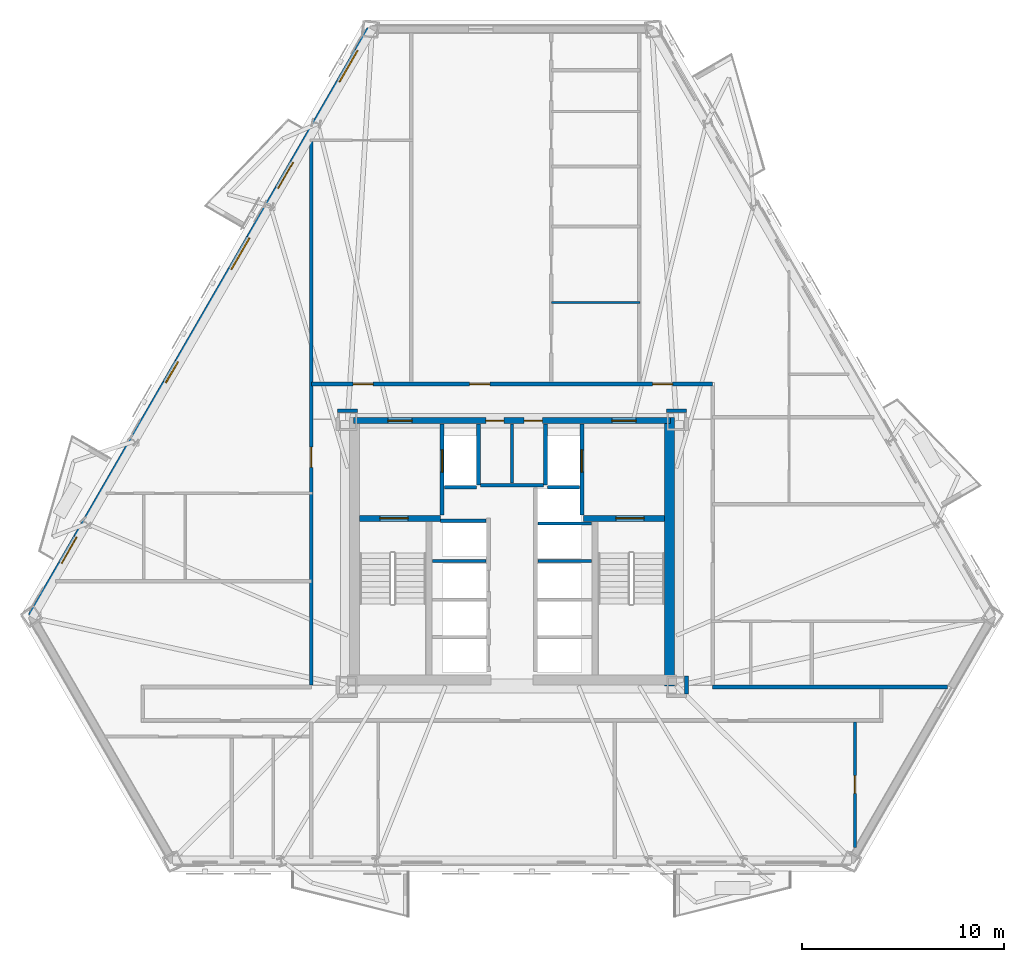
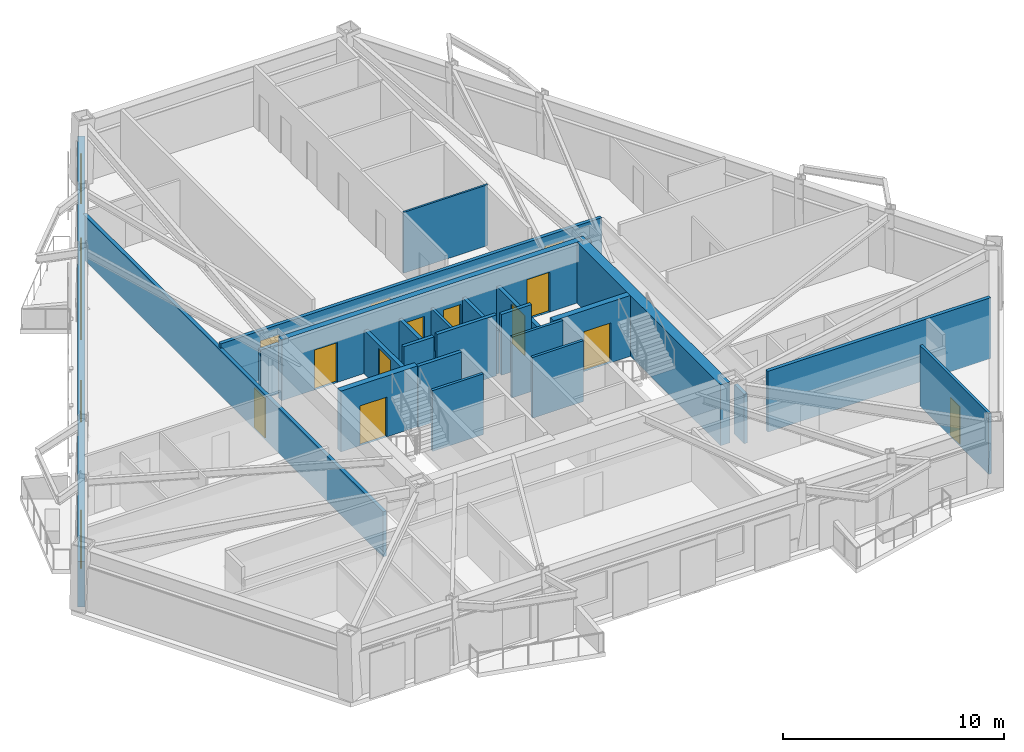
# One storey, part 4 of 10: 25 walls, 15 doors, 3 windows, 18 openings.
"""IFC4 building model written with IfcOpenShell, lengths in metres."""

from ifc_helpers import new_model, si_unit, direction, frame, frame_2d, origin, place, context, subcontext, project, spatial, rectangle, extrude, material, layer, layer_set, type_object, element, fill, save


model = new_model("IFC4")

# Units and contexts
model_context = context("Model", 3, precision=1e-05, world=origin(), true_north=direction((0.0, 1.0)))
body_context = subcontext(model_context, "Body", "Model", "MODEL_VIEW")
ifc_project = project(units=[si_unit("LENGTHUNIT", "METRE"), si_unit("AREAUNIT", "SQUARE_METRE"), si_unit("VOLUMEUNIT", "CUBIC_METRE"), si_unit("PLANEANGLEUNIT", "RADIAN"), si_unit("MASSUNIT", "GRAM", prefix="KILO")], contexts=[model_context])

# Site, building, storey
site_placement = place(None, origin())
site = spatial("IfcSite", under=ifc_project, at=site_placement, CompositionType="ELEMENT")
building_placement = place(site_placement, origin())
building = spatial("IfcBuilding", under=site, at=building_placement, Name="Oramaril Tower", CompositionType="ELEMENT")
storey_placement = place(building_placement, frame((0.0, 0.0, 59.699951171875)))
storey = spatial("IfcBuildingStorey", under=building, at=storey_placement, Name="L15", CompositionType="ELEMENT", Elevation=59.699951171875)

# Wall, openings, doors, windows
ifc_material_1 = material(Name="Warm Cream Limestone", Category="masonry")
ifc_layer_1 = layer(ifc_material_1, 0.340087890625)
ifc_layer_set_1 = layer_set([ifc_layer_1], Name="WT-EXT34")
wall_type_1 = type_object("IfcWallType", Name="WT-EXT34", PredefinedType="SOLIDWALL", material=ifc_layer_set_1)
wall_1_placement = place(storey_placement, frame((30.458251953125, 43.555908203125, 0.0), z_axis=(0.0, 0.0, 1.0), x_axis=(-0.499999743921, -0.866025551632, 0.0)))
wall_1 = element("IfcWall", 1, at=wall_1_placement, inside=storey, type_object=wall_type_1, Name="L15 Tower Limestone Facade Wall 6M", PredefinedType="SOLIDWALL", context=body_context, shape_type="SweptSolid", body=[
    extrude(rectangle(XDim=33.5849609375, YDim=0.340087890625, at=frame_2d((16.79248046875, 0.0))), origin(), (0.0, 0.0, 1.0), 2.494140625),
])
opening_1_placement = place(wall_1_placement, frame((7.614501953125, 0.0, 0.0)))
opening_1 = element("IfcOpeningElement", 2, at=opening_1_placement, cuts=wall_1, Name="Opening D-L15-BAL-NW1", PredefinedType="OPENING", context=body_context, shape_type="SweptSolid", body=[
    extrude(rectangle(XDim=1.5, YDim=2.199951171875, at=frame_2d((0.75, 1.10009765625))), frame((0.0, 0.169921875, 0.0), z_axis=(0.0, -1.0, 0.0), x_axis=(1.0, 0.0, 0.0)), (0.0, 0.0, 1.0), 0.340087890625),
])
opening_2_placement = place(wall_1_placement, frame((29.075439453125, 0.0, 0.0)))
opening_2 = element("IfcOpeningElement", 3, at=opening_2_placement, cuts=wall_1, Name="Opening D-L15-BAL-NW2", PredefinedType="OPENING", context=body_context, shape_type="SweptSolid", body=[
    extrude(rectangle(XDim=1.5, YDim=2.199951171875, at=frame_2d((0.75, 1.10009765625))), frame((0.0, 0.169921875, 0.0), z_axis=(0.0, -1.0, 0.0), x_axis=(1.0, 0.0, 0.0)), (0.0, 0.0, 1.0), 0.340087890625),
])
opening_3_placement = place(wall_1_placement, frame((11.943359375, 0.0, 0.85009765625)))
opening_3 = element("IfcOpeningElement", 4, at=opening_3_placement, cuts=wall_1, Name="Opening WN-06", PredefinedType="OPENING", context=body_context, shape_type="SweptSolid", body=[
    extrude(rectangle(XDim=1.800048828125, YDim=1.533935546875, at=frame_2d((0.89990234375, 0.76708984375))), frame((0.0, 0.169921875, 0.0), z_axis=(0.0, -1.0, 0.0), x_axis=(1.0, 0.0, 0.0)), (0.0, 0.0, 1.0), 0.340087890625),
])
opening_4_placement = place(wall_1_placement, frame((19.036376953125, 0.0, 0.85009765625)))
opening_4 = element("IfcOpeningElement", 5, at=opening_4_placement, cuts=wall_1, Name="Opening WN-09", PredefinedType="OPENING", context=body_context, shape_type="SweptSolid", body=[
    extrude(rectangle(XDim=1.199951171875, YDim=1.47998046875, at=frame_2d((0.60009765625, 0.739990234375))), frame((0.0, 0.169921875, 0.0), z_axis=(0.0, -1.0, 0.0), x_axis=(1.0, 0.0, 0.0)), (0.0, 0.0, 1.0), 0.340087890625),
])
opening_5_placement = place(wall_1_placement, frame((1.22314453125, 0.0, 0.85009765625)))
opening_5 = element("IfcOpeningElement", 6, at=opening_5_placement, cuts=wall_1, Name="Opening WN-06", PredefinedType="OPENING", context=body_context, shape_type="SweptSolid", body=[
    extrude(rectangle(XDim=1.800048828125, YDim=1.533935546875, at=frame_2d((0.89990234375, 0.76708984375))), frame((0.0, 0.169921875, 0.0), z_axis=(0.0, -1.0, 0.0), x_axis=(1.0, 0.0, 0.0)), (0.0, 0.0, 1.0), 0.340087890625),
])
ifc_material_2 = material(Name="Anodised Aluminium 6063-T6", Category="aluminium")
door_type_1 = type_object("IfcDoorType", Name="DT-BAL", OperationType="NOTDEFINED", PredefinedType="DOOR", material=ifc_material_2)
door_1_placement = place(opening_1_placement, origin())
door_1 = element("IfcDoor", 7, at=door_1_placement, inside=storey, type_object=door_type_1, Name="L15 Balcony Glazed Door L15-BAL-NW1", OperationType="SINGLE_SWING_RIGHT", OverallHeight=2.199951171875, OverallWidth=1.5, PredefinedType="DOOR", context=body_context, shape_type="SweptSolid", body=[
    extrude(rectangle(XDim=1.5, YDim=2.199951171875, at=frame_2d((0.75, 1.10009765625))), frame((0.0, 0.02490234375, 0.0), z_axis=(0.0, -1.0, 0.0), x_axis=(1.0, 0.0, 0.0)), (0.0, 0.0, 1.0), 0.050048828125),
])
fill(opening_1, door_1)
door_2_placement = place(opening_2_placement, origin())
door_2 = element("IfcDoor", 8, at=door_2_placement, inside=storey, type_object=door_type_1, Name="L15 Balcony Glazed Door L15-BAL-NW2", OperationType="SINGLE_SWING_LEFT", OverallHeight=2.199951171875, OverallWidth=1.5, PredefinedType="DOOR", context=body_context, shape_type="SweptSolid", body=[
    extrude(rectangle(XDim=1.5, YDim=2.199951171875, at=frame_2d((0.75, 1.10009765625))), frame((0.0, 0.02490234375, 0.0), z_axis=(0.0, -1.0, 0.0), x_axis=(1.0, 0.0, 0.0)), (0.0, 0.0, 1.0), 0.050048828125),
])
fill(opening_2, door_2)
ifc_material_3 = material(Name="Coastal Low-E Insulated Glass", Category="glass")
window_type_1 = type_object("IfcWindowType", Name="WNT-06", PartitioningType="SINGLE_PANEL", PredefinedType="WINDOW", material=ifc_material_3)
window_1_placement = place(opening_3_placement, origin())
window_1 = element("IfcWindow", 9, at=window_1_placement, inside=storey, type_object=window_type_1, Name="L15 Chicago Bay Window WN-06", OverallHeight=1.533935546875, OverallWidth=1.800048828125, PartitioningType="SINGLE_PANEL", PredefinedType="WINDOW", context=body_context, shape_type="SweptSolid", body=[
    extrude(rectangle(XDim=1.800048828125, YDim=1.533935546875, at=frame_2d((0.89990234375, 0.76708984375))), frame((0.0, 0.030029296875, 0.0), z_axis=(0.0, -1.0, 0.0), x_axis=(1.0, 0.0, 0.0)), (0.0, 0.0, 1.0), 0.06005859375),
])
fill(opening_3, window_1)
window_2_placement = place(opening_5_placement, origin())
window_2 = element("IfcWindow", 10, at=window_2_placement, inside=storey, type_object=window_type_1, Name="L15 Chicago Bay Window WN-06", OverallHeight=1.533935546875, OverallWidth=1.800048828125, PartitioningType="SINGLE_PANEL", PredefinedType="WINDOW", context=body_context, shape_type="SweptSolid", body=[
    extrude(rectangle(XDim=1.800048828125, YDim=1.533935546875, at=frame_2d((0.89990234375, 0.76708984375))), frame((0.0, 0.030029296875, 0.0), z_axis=(0.0, -1.0, 0.0), x_axis=(1.0, 0.0, 0.0)), (0.0, 0.0, 1.0), 0.06005859375),
])
fill(opening_5, window_2)
ifc_material_4 = material(Name="Coastal Low-E Insulated Glass", Category="glass")
window_type_2 = type_object("IfcWindowType", Name="WNT-09", PartitioningType="SINGLE_PANEL", PredefinedType="WINDOW", material=ifc_material_4)
window_3_placement = place(opening_4_placement, origin())
window_3 = element("IfcWindow", 11, at=window_3_placement, inside=storey, type_object=window_type_2, Name="L15 Chicago Bay Window WN-09", OverallHeight=1.47998046875, OverallWidth=1.199951171875, PartitioningType="SINGLE_PANEL", PredefinedType="WINDOW", context=body_context, shape_type="SweptSolid", body=[
    extrude(rectangle(XDim=1.199951171875, YDim=1.47998046875, at=frame_2d((0.60009765625, 0.739990234375))), frame((0.0, 0.030029296875, 0.0), z_axis=(0.0, -1.0, 0.0), x_axis=(1.0, 0.0, 0.0)), (0.0, 0.0, 1.0), 0.06005859375),
])
fill(opening_4, window_3)

# Walls
ifc_material_5 = material(Name="Acoustic Gypsum Board Partition")
ifc_layer_2 = layer(ifc_material_5, 0.10009765625)
ifc_layer_set_2 = layer_set([ifc_layer_2], Name="WT-PT10")
wall_type_2 = type_object("IfcWallType", Name="WT-PT10", PredefinedType="PARTITIONING", material=ifc_layer_set_2)
wall_2_placement = place(storey_placement, frame((39.449951171875, 30.0, 0.0), z_axis=(0.0, 0.0, 1.0), x_axis=(1.0, 0.0, 0.0)))
element("IfcWall", 12, at=wall_2_placement, inside=storey, type_object=wall_type_2, Name="L15 Interior Partition PT-10", PredefinedType="PARTITIONING", context=body_context, shape_type="SweptSolid", body=[
    extrude(rectangle(XDim=4.400146484375, YDim=0.10009765625, at=frame_2d((2.2001953125, 0.0))), origin(), (0.0, 0.0, 1.0), 3.360107421875),
])
ifc_material_6 = material(Name="Acoustic Gypsum Board Partition")
ifc_layer_3 = layer(ifc_material_6, 0.139892578125)
ifc_layer_set_3 = layer_set([ifc_layer_3], Name="WT-PT14")
wall_type_3 = type_object("IfcWallType", Name="WT-PT14", PredefinedType="PARTITIONING", material=ifc_layer_set_3)
for number, where, z_axis, x_axis, name in (
    (13, (33.56005859375, 17.199951171875, 0.0), (0.0, 0.0, 1.0), (1.0, 0.0, 0.0), "L15 West Lift Divider"),
    (14, (38.780029296875, 17.199951171875, 0.0), (0.0, 0.0, 1.0), (1.0, 0.0, 0.0), "L15 East Lift Divider"),
    (15, (38.780029296875, 19.050048828125, 0.0), (0.0, 0.0, 1.0), (1.0, 0.0, 0.0), "L15 East Lift Divider"),
):
    element("IfcWall", number, at=place(storey_placement, frame(where, z_axis=z_axis, x_axis=x_axis)), inside=storey, type_object=wall_type_3, Name=name, PredefinedType="PARTITIONING", context=body_context, shape_type="SweptSolid", body=[
        extrude(rectangle(XDim=2.659912109375, YDim=0.139892578125, at=frame_2d((1.330078125, 0.0))), origin(), (0.0, 0.0, 1.0), 3.360107421875),
    ])
wall_3_placement = place(storey_placement, frame((37.5, 21.06005859375, 0.0), z_axis=(0.0, 0.0, 1.0), x_axis=(0.0, 1.0, 0.0)))
element("IfcWall", 16, at=wall_3_placement, inside=storey, type_object=wall_type_3, Name="L15 Core Service Divider", PredefinedType="PARTITIONING", context=body_context, shape_type="SweptSolid", body=[
    extrude(rectangle(XDim=2.919921875, YDim=0.139892578125, at=frame_2d((1.4599609375, 0.0))), origin(), (0.0, 0.0, 1.0), 2.400146484375),
])

# Wall, opening, door
wall_4_placement = place(storey_placement, frame((54.5, 2.981201171875, 0.0), z_axis=(0.0, 0.0, 1.0), x_axis=(0.0, 1.0, 0.0)))
wall_4 = element("IfcWall", 17, at=wall_4_placement, inside=storey, type_object=wall_type_3, Name="L15 Interior Partition PT-14", PredefinedType="PARTITIONING", context=body_context, shape_type="SweptSolid", body=[
    extrude(rectangle(XDim=6.224853515625, YDim=0.139892578125, at=frame_2d((3.1123046875, 0.0))), origin(), (0.0, 0.0, 1.0), 3.360107421875),
])
opening_6_placement = place(wall_4_placement, frame((2.693115234375, 0.0, 0.0)))
opening_6 = element("IfcOpeningElement", 18, at=opening_6_placement, cuts=wall_4, Name="Opening D-L15-30", PredefinedType="OPENING", context=body_context, shape_type="SweptSolid", body=[
    extrude(rectangle(XDim=0.8798828125, YDim=2.080078125, at=frame_2d((0.43994140625, 1.0400390625))), frame((0.0, 0.06982421875, 0.0), z_axis=(0.0, -1.0, 0.0), x_axis=(1.0, 0.0, 0.0)), (0.0, 0.0, 1.0), 0.139892578125),
])
ifc_material_7 = material(Name="FSC Brazilian Freijo Hardwood", Category="wood")
door_type_2 = type_object("IfcDoorType", Name="DT-BATH", OperationType="NOTDEFINED", PredefinedType="DOOR", material=ifc_material_7)
door_3_placement = place(opening_6_placement, origin())
door_3 = element("IfcDoor", 19, at=door_3_placement, inside=storey, type_object=door_type_2, Name="L15 Flat L15-U2 Bathroom Door D-L15-30", OperationType="SINGLE_SWING_LEFT", OverallHeight=2.080078125, OverallWidth=0.8798828125, PredefinedType="DOOR", context=body_context, shape_type="SweptSolid", body=[
    extrude(rectangle(XDim=0.8798828125, YDim=2.080078125, at=frame_2d((0.43994140625, 1.0400390625))), frame((0.0, 0.02490234375, 0.0), z_axis=(0.0, -1.0, 0.0), x_axis=(1.0, 0.0, 0.0)), (0.0, 0.0, 1.0), 0.050048828125),
])
fill(opening_6, door_3)

# Walls
ifc_material_8 = material(Name="Autoclaved Cellular Concrete Block", Category="concrete")
ifc_layer_4 = layer(ifc_material_8, 0.179931640625)
ifc_layer_set_4 = layer_set([ifc_layer_4], Name="WT-PT18")
wall_type_4 = type_object("IfcWallType", Name="WT-PT18", PredefinedType="PARTITIONING", material=ifc_layer_set_4)
wall_5_placement = place(storey_placement, frame((35.840087890625, 20.9599609375, 0.0), z_axis=(0.0, 0.0, 1.0), x_axis=(0.0, 1.0, 0.0)))
element("IfcWall", 20, at=wall_5_placement, inside=storey, type_object=wall_type_4, Name="L15 FL-1 East Shaft Wall", PredefinedType="PARTITIONING", context=body_context, shape_type="SweptSolid", body=[
    extrude(rectangle(XDim=3.02001953125, YDim=0.179931640625, at=frame_2d((1.510009765625, 0.0))), origin(), (0.0, 0.0, 1.0), 2.400146484375),
])
wall_6_placement = place(storey_placement, frame((34.159912109375, 20.860107421875, 0.0), z_axis=(0.0, 0.0, 1.0), x_axis=(1.0, 0.0, 0.0)))
element("IfcWall", 21, at=wall_6_placement, inside=storey, type_object=wall_type_4, Name="L15 FL-1 South Shaft Wall", PredefinedType="PARTITIONING", context=body_context, shape_type="SweptSolid", body=[
    extrude(rectangle(XDim=1.580078125, YDim=0.179931640625, at=frame_2d((0.7900390625, 0.0))), origin(), (0.0, 0.0, 1.0), 3.360107421875),
])
wall_7_placement = place(storey_placement, frame((39.159912109375, 20.9599609375, 0.0), z_axis=(0.0, 0.0, 1.0), x_axis=(0.0, 1.0, 0.0)))
element("IfcWall", 22, at=wall_7_placement, inside=storey, type_object=wall_type_4, Name="L15 FL-2 West Shaft Wall", PredefinedType="PARTITIONING", context=body_context, shape_type="SweptSolid", body=[
    extrude(rectangle(XDim=3.02001953125, YDim=0.179931640625, at=frame_2d((1.510009765625, 0.0))), origin(), (0.0, 0.0, 1.0), 2.400146484375),
])
wall_8_placement = place(storey_placement, frame((39.260009765625, 20.860107421875, 0.0), z_axis=(0.0, 0.0, 1.0), x_axis=(1.0, 0.0, 0.0)))
element("IfcWall", 23, at=wall_8_placement, inside=storey, type_object=wall_type_4, Name="L15 FL-2 South Shaft Wall", PredefinedType="PARTITIONING", context=body_context, shape_type="SweptSolid", body=[
    extrude(rectangle(XDim=1.580078125, YDim=0.179931640625, at=frame_2d((0.7900390625, 0.0))), origin(), (0.0, 0.0, 1.0), 3.360107421875),
])
wall_9_placement = place(storey_placement, frame((33.949951171875, 19.199951171875, 0.0), z_axis=(0.0, 0.0, 1.0), x_axis=(1.0, 0.0, 0.0)))
element("IfcWall", 24, at=wall_9_placement, inside=storey, type_object=wall_type_4, Name="L15 High-Rise Lift H1 North Shaft Wall", PredefinedType="PARTITIONING", context=body_context, shape_type="SweptSolid", body=[
    extrude(rectangle(XDim=2.27001953125, YDim=0.179931640625, at=frame_2d((1.135009765625, 0.0))), origin(), (0.0, 0.0, 1.0), 3.360107421875),
])
wall_10_placement = place(storey_placement, frame((35.949951171875, 20.949951171875, 0.0), z_axis=(0.0, 0.0, 1.0), x_axis=(1.0, 0.0, 0.0)))
element("IfcWall", 25, at=wall_10_placement, inside=storey, type_object=wall_type_4, Name="L15 Lift Lobby North Partition", PredefinedType="PARTITIONING", context=body_context, shape_type="SweptSolid", body=[
    extrude(rectangle(XDim=3.10009765625, YDim=0.179931640625, at=frame_2d((1.550048828125, 0.0))), origin(), (0.0, 0.0, 1.0), 3.360107421875),
])
wall_11_placement = place(storey_placement, frame((47.449951171875, 10.949951171875, 0.0), z_axis=(0.0, 0.0, 1.0), x_axis=(1.0, 0.0, 0.0)))
element("IfcWall", 26, at=wall_11_placement, inside=storey, type_object=wall_type_4, Name="L15 Interior Partition PT-18", PredefinedType="PARTITIONING", context=body_context, shape_type="SweptSolid", body=[
    extrude(rectangle(XDim=11.65087890625, YDim=0.179931640625, at=frame_2d((5.825439453125, 0.0))), origin(), (0.0, 0.0, 1.0), 3.360107421875),
])
for number, where, z_axis, x_axis, name in (
    (27, (28.85498046875, 24.639892578125, 0.0), (0.0, 0.0, 1.0), (1.0, 0.0, 0.0), "L15 Interior Partition PT-18"),
    (28, (45.155029296875, 24.639892578125, 0.0), (0.0, 0.0, 1.0), (1.0, 0.0, 0.0), "L15 Interior Partition PT-18"),
):
    element("IfcWall", number, at=place(storey_placement, frame(where, z_axis=z_axis, x_axis=x_axis)), inside=storey, type_object=wall_type_4, Name=name, PredefinedType="PARTITIONING", context=body_context, shape_type="SweptSolid", body=[
        extrude(rectangle(XDim=0.989990234375, YDim=0.179931640625, at=frame_2d((0.4951171875, 0.0))), origin(), (0.0, 0.0, 1.0), 2.738037109375),
    ])

# Wall, openings, doors
wall_12_placement = place(storey_placement, frame((27.550048828125, 25.969970703125, 0.0), z_axis=(0.0, 0.0, 1.0), x_axis=(1.0, 0.0, 0.0)))
wall_12 = element("IfcWall", 29, at=wall_12_placement, inside=storey, type_object=wall_type_4, Name="L15 Interior Partition PT-18", PredefinedType="PARTITIONING", context=body_context, shape_type="SweptSolid", body=[
    extrude(rectangle(XDim=19.89990234375, YDim=0.179931640625, at=frame_2d((9.949951171875, 0.0))), origin(), (0.0, 0.0, 1.0), 2.738037109375),
])
opening_7_placement = place(wall_12_placement, frame((2.0703125, 0.0, 0.0)))
opening_7 = element("IfcOpeningElement", 30, at=opening_7_placement, cuts=wall_12, Name="Opening D-L15-13", PredefinedType="OPENING", context=body_context, shape_type="SweptSolid", body=[
    extrude(rectangle(XDim=1.0, YDim=2.179931640625, at=frame_2d((0.5, 1.08984375))), frame((0.0, 0.08984375, 0.0), z_axis=(0.0, -1.0, 0.0), x_axis=(1.0, 0.0, 0.0)), (0.0, 0.0, 1.0), 0.179931640625),
])
opening_8_placement = place(wall_12_placement, frame((7.851318359375, 0.0, 0.0)))
opening_8 = element("IfcOpeningElement", 31, at=opening_8_placement, cuts=wall_12, Name="Opening D-L15-14", PredefinedType="OPENING", context=body_context, shape_type="SweptSolid", body=[
    extrude(rectangle(XDim=1.0, YDim=2.179931640625, at=frame_2d((0.5, 1.08984375))), frame((0.0, 0.08984375, 0.0), z_axis=(0.0, -1.0, 0.0), x_axis=(1.0, 0.0, 0.0)), (0.0, 0.0, 1.0), 0.179931640625),
])
opening_9_placement = place(wall_12_placement, frame((16.91552734375, 0.0, 0.0)))
opening_9 = element("IfcOpeningElement", 32, at=opening_9_placement, cuts=wall_12, Name="Opening D-L15-15", PredefinedType="OPENING", context=body_context, shape_type="SweptSolid", body=[
    extrude(rectangle(XDim=1.0, YDim=2.179931640625, at=frame_2d((0.5, 1.08984375))), frame((0.0, 0.08984375, 0.0), z_axis=(0.0, -1.0, 0.0), x_axis=(1.0, 0.0, 0.0)), (0.0, 0.0, 1.0), 0.179931640625),
])
ifc_material_9 = material(Name="FSC Brazilian Freijo Hardwood", Category="wood")
door_type_3 = type_object("IfcDoorType", Name="DT-APT", OperationType="NOTDEFINED", PredefinedType="DOOR", material=ifc_material_9)
door_4_placement = place(opening_7_placement, origin())
door_4 = element("IfcDoor", 33, at=door_4_placement, inside=storey, type_object=door_type_3, Name="L15 Flat L15-U7 Kitchen and Studio Apartment Door D-L15-13", OperationType="SINGLE_SWING_RIGHT", OverallHeight=2.179931640625, OverallWidth=1.0, PredefinedType="DOOR", context=body_context, shape_type="SweptSolid", body=[
    extrude(rectangle(XDim=1.0, YDim=2.179931640625, at=frame_2d((0.5, 1.08984375))), frame((0.0, 0.02490234375, 0.0), z_axis=(0.0, -1.0, 0.0), x_axis=(1.0, 0.0, 0.0)), (0.0, 0.0, 1.0), 0.050048828125),
])
fill(opening_7, door_4)
door_5_placement = place(opening_8_placement, origin())
door_5 = element("IfcDoor", 34, at=door_5_placement, inside=storey, type_object=door_type_3, Name="L15 Flat L15-U8 Penthouse 2-Bedroom Living and Dining Room Door D-L15-14", OperationType="SINGLE_SWING_LEFT", OverallHeight=2.179931640625, OverallWidth=1.0, PredefinedType="DOOR", context=body_context, shape_type="SweptSolid", body=[
    extrude(rectangle(XDim=1.0, YDim=2.179931640625, at=frame_2d((0.5, 1.08984375))), frame((0.0, 0.02490234375, 0.0), z_axis=(0.0, -1.0, 0.0), x_axis=(1.0, 0.0, 0.0)), (0.0, 0.0, 1.0), 0.050048828125),
])
fill(opening_8, door_5)
door_6_placement = place(opening_9_placement, origin())
door_6 = element("IfcDoor", 35, at=door_6_placement, inside=storey, type_object=door_type_3, Name="L15 Flat L15-U9 Studio Apartment Door D-L15-15", OperationType="SINGLE_SWING_RIGHT", OverallHeight=2.179931640625, OverallWidth=1.0, PredefinedType="DOOR", context=body_context, shape_type="SweptSolid", body=[
    extrude(rectangle(XDim=1.0, YDim=2.179931640625, at=frame_2d((0.5, 1.08984375))), frame((0.0, 0.02490234375, 0.0), z_axis=(0.0, -1.0, 0.0), x_axis=(1.0, 0.0, 0.0)), (0.0, 0.0, 1.0), 0.050048828125),
])
fill(opening_9, door_6)

# Wall, opening, door
wall_13_placement = place(storey_placement, frame((27.550048828125, 11.0439453125, 0.0), z_axis=(0.0, 0.0, 1.0), x_axis=(0.0, 1.0, 0.0)))
wall_13 = element("IfcWall", 36, at=wall_13_placement, inside=storey, type_object=wall_type_4, Name="L15 Interior Partition PT-18", PredefinedType="PARTITIONING", context=body_context, shape_type="SweptSolid", body=[
    extrude(rectangle(XDim=27.126708984375, YDim=0.179931640625, at=frame_2d((13.5634765625, 0.0))), origin(), (0.0, 0.0, 1.0), 2.494140625),
])
opening_10_placement = place(wall_13_placement, frame((10.79541015625, 0.0, 0.0)))
opening_10 = element("IfcOpeningElement", 37, at=opening_10_placement, cuts=wall_13, Name="Opening D-L15-17", PredefinedType="OPENING", context=body_context, shape_type="SweptSolid", body=[
    extrude(rectangle(XDim=1.0, YDim=2.179931640625, at=frame_2d((0.5, 1.08984375))), frame((0.0, 0.08984375, 0.0), z_axis=(0.0, -1.0, 0.0), x_axis=(1.0, 0.0, 0.0)), (0.0, 0.0, 1.0), 0.179931640625),
])
door_7_placement = place(opening_10_placement, origin())
door_7 = element("IfcDoor", 38, at=door_7_placement, inside=storey, type_object=door_type_3, Name="L15 Flat L15-U4 Penthouse Living and Dining Room Door D-L15-17", OperationType="SINGLE_SWING_RIGHT", OverallHeight=2.179931640625, OverallWidth=1.0, PredefinedType="DOOR", context=body_context, shape_type="SweptSolid", body=[
    extrude(rectangle(XDim=1.0, YDim=2.179931640625, at=frame_2d((0.5, 1.08984375))), frame((0.0, 0.02490234375, 0.0), z_axis=(0.0, -1.0, 0.0), x_axis=(1.0, 0.0, 0.0)), (0.0, 0.0, 1.0), 0.050048828125),
])
fill(opening_10, door_7)

# Wall
wall_14_placement = place(storey_placement, frame((46.14990234375, 10.60400390625, 0.0), z_axis=(0.0, 0.0, 1.0), x_axis=(0.0, 1.0, 0.0)))
element("IfcWall", 39, at=wall_14_placement, inside=storey, type_object=wall_type_4, Name="L15 Interior Partition PT-18", PredefinedType="PARTITIONING", context=body_context, shape_type="SweptSolid", body=[
    extrude(rectangle(XDim=0.89111328125, YDim=0.179931640625, at=frame_2d((0.445556640625, 0.0))), origin(), (0.0, 0.0, 1.0), 2.738037109375),
])

# Wall, openings, doors
ifc_material_10 = material(Name="Concrete C50/60", Category="concrete")
ifc_layer_5 = layer(ifc_material_10, 0.300048828125)
ifc_layer_set_5 = layer_set([ifc_layer_5], Name="WT-SH30")
wall_type_5 = type_object("IfcWallType", Name="WT-SH30", PredefinedType="SHEAR", material=ifc_layer_set_5)
wall_15_placement = place(storey_placement, frame((29.64990234375, 24.14990234375, 0.0), z_axis=(0.0, 0.0, 1.0), x_axis=(1.0, 0.0, 0.0)))
wall_15 = element("IfcWall", 40, at=wall_15_placement, inside=storey, type_object=wall_type_5, Name="L15 Core Shear Wall CW-N", PredefinedType="SHEAR", context=body_context, shape_type="SweptSolid", body=[
    extrude(rectangle(XDim=15.7001953125, YDim=0.300048828125, at=frame_2d((7.85009765625, 0.0))), origin(), (0.0, 0.0, 1.0), 3.360107421875),
])
opening_11_placement = place(wall_15_placement, frame((1.699951171875, 0.0, 0.0)))
opening_11 = element("IfcOpeningElement", 41, at=opening_11_placement, cuts=wall_15, Name="Opening D-L15-FFL1", PredefinedType="OPENING", context=body_context, shape_type="SweptSolid", body=[
    extrude(rectangle(XDim=1.199951171875, YDim=2.199951171875, at=frame_2d((0.60009765625, 1.10009765625))), frame((0.0, 0.14990234375, 0.0), z_axis=(0.0, -1.0, 0.0), x_axis=(1.0, 0.0, 0.0)), (0.0, 0.0, 1.0), 0.300048828125),
])
opening_12_placement = place(wall_15_placement, frame((12.800048828125, 0.0, 0.0)))
opening_12 = element("IfcOpeningElement", 42, at=opening_12_placement, cuts=wall_15, Name="Opening D-L15-FFL2", PredefinedType="OPENING", context=body_context, shape_type="SweptSolid", body=[
    extrude(rectangle(XDim=1.199951171875, YDim=2.199951171875, at=frame_2d((0.60009765625, 1.10009765625))), frame((0.0, 0.14990234375, 0.0), z_axis=(0.0, -1.0, 0.0), x_axis=(1.0, 0.0, 0.0)), (0.0, 0.0, 1.0), 0.300048828125),
])
opening_13_placement = place(wall_15_placement, frame((6.550048828125, 0.0, 0.0)))
opening_13 = element("IfcOpeningElement", 43, at=opening_13_placement, cuts=wall_15, Name="Opening D-L15-SV1", PredefinedType="OPENING", context=body_context, shape_type="SweptSolid", body=[
    extrude(rectangle(XDim=0.89990234375, YDim=2.050048828125, at=frame_2d((0.449951171875, 1.02490234375))), frame((0.0, 0.14990234375, 0.0), z_axis=(0.0, -1.0, 0.0), x_axis=(1.0, 0.0, 0.0)), (0.0, 0.0, 1.0), 0.300048828125),
])
opening_14_placement = place(wall_15_placement, frame((8.449951171875, 0.0, 0.0)))
opening_14 = element("IfcOpeningElement", 44, at=opening_14_placement, cuts=wall_15, Name="Opening D-L15-SV2", PredefinedType="OPENING", context=body_context, shape_type="SweptSolid", body=[
    extrude(rectangle(XDim=0.89990234375, YDim=2.050048828125, at=frame_2d((0.449951171875, 1.02490234375))), frame((0.0, 0.14990234375, 0.0), z_axis=(0.0, -1.0, 0.0), x_axis=(1.0, 0.0, 0.0)), (0.0, 0.0, 1.0), 0.300048828125),
])
ifc_material_11 = material(Name="Painted Galvanised Steel", Category="steel")
door_type_4 = type_object("IfcDoorType", Name="DT-FFL", OperationType="NOTDEFINED", PredefinedType="DOOR", material=ifc_material_11)
door_8_placement = place(opening_11_placement, origin())
door_8 = element("IfcDoor", 45, at=door_8_placement, inside=storey, type_object=door_type_4, Name="L15 Firefighting Lobby 1 Fire Door", OperationType="SINGLE_SWING_LEFT", OverallHeight=2.199951171875, OverallWidth=1.199951171875, PredefinedType="DOOR", context=body_context, shape_type="SweptSolid", body=[
    extrude(rectangle(XDim=1.199951171875, YDim=2.199951171875, at=frame_2d((0.60009765625, 1.10009765625))), frame((0.0, 0.02490234375, 0.0), z_axis=(0.0, -1.0, 0.0), x_axis=(1.0, 0.0, 0.0)), (0.0, 0.0, 1.0), 0.050048828125),
])
fill(opening_11, door_8)
door_9_placement = place(opening_12_placement, origin())
door_9 = element("IfcDoor", 46, at=door_9_placement, inside=storey, type_object=door_type_4, Name="L15 Firefighting Lobby 2 Fire Door", OperationType="SINGLE_SWING_RIGHT", OverallHeight=2.199951171875, OverallWidth=1.199951171875, PredefinedType="DOOR", context=body_context, shape_type="SweptSolid", body=[
    extrude(rectangle(XDim=1.199951171875, YDim=2.199951171875, at=frame_2d((0.60009765625, 1.10009765625))), frame((0.0, 0.02490234375, 0.0), z_axis=(0.0, -1.0, 0.0), x_axis=(1.0, 0.0, 0.0)), (0.0, 0.0, 1.0), 0.050048828125),
])
fill(opening_12, door_9)
ifc_material_12 = material(Name="Painted Galvanised Steel", Category="steel")
door_type_5 = type_object("IfcDoorType", Name="DT-SVC", OperationType="NOTDEFINED", PredefinedType="DOOR", material=ifc_material_12)
door_10_placement = place(opening_13_placement, origin())
door_10 = element("IfcDoor", 47, at=door_10_placement, inside=storey, type_object=door_type_5, Name="L15 Core Service Store 1 Door", OperationType="SINGLE_SWING_LEFT", OverallHeight=2.050048828125, OverallWidth=0.89990234375, PredefinedType="DOOR", context=body_context, shape_type="SweptSolid", body=[
    extrude(rectangle(XDim=0.89990234375, YDim=2.050048828125, at=frame_2d((0.449951171875, 1.02490234375))), frame((0.0, 0.02490234375, 0.0), z_axis=(0.0, -1.0, 0.0), x_axis=(1.0, 0.0, 0.0)), (0.0, 0.0, 1.0), 0.050048828125),
])
fill(opening_13, door_10)
door_11_placement = place(opening_14_placement, origin())
door_11 = element("IfcDoor", 48, at=door_11_placement, inside=storey, type_object=door_type_5, Name="L15 Core Service Store 2 Door", OperationType="SINGLE_SWING_RIGHT", OverallHeight=2.050048828125, OverallWidth=0.89990234375, PredefinedType="DOOR", context=body_context, shape_type="SweptSolid", body=[
    extrude(rectangle(XDim=0.89990234375, YDim=2.050048828125, at=frame_2d((0.449951171875, 1.02490234375))), frame((0.0, 0.02490234375, 0.0), z_axis=(0.0, -1.0, 0.0), x_axis=(1.0, 0.0, 0.0)), (0.0, 0.0, 1.0), 0.050048828125),
])
fill(opening_14, door_11)

# Wall, opening, door
wall_16_placement = place(storey_placement, frame((29.93994140625, 19.31005859375, 0.0), z_axis=(0.0, 0.0, 1.0), x_axis=(1.0, 0.0, 0.0)))
wall_16 = element("IfcWall", 49, at=wall_16_placement, inside=storey, type_object=wall_type_5, Name="L15 Core Shear Wall CW-ST1N", PredefinedType="SHEAR", context=body_context, shape_type="SweptSolid", body=[
    extrude(rectangle(XDim=4.010009765625, YDim=0.300048828125, at=frame_2d((2.0048828125, 0.0))), origin(), (0.0, 0.0, 1.0), 3.360107421875),
])
opening_15_placement = place(wall_16_placement, frame((1.010009765625, 0.0, 0.0)))
opening_15 = element("IfcOpeningElement", 50, at=opening_15_placement, cuts=wall_16, Name="Opening D-L15-ST1", PredefinedType="OPENING", context=body_context, shape_type="SweptSolid", body=[
    extrude(rectangle(XDim=1.39990234375, YDim=2.199951171875, at=frame_2d((0.699951171875, 1.10009765625))), frame((0.0, 0.14990234375, 0.0), z_axis=(0.0, -1.0, 0.0), x_axis=(1.0, 0.0, 0.0)), (0.0, 0.0, 1.0), 0.300048828125),
])
ifc_material_13 = material(Name="Painted Galvanised Steel", Category="steel")
door_type_6 = type_object("IfcDoorType", Name="DT-ST", OperationType="NOTDEFINED", PredefinedType="DOOR", material=ifc_material_13)
door_12_placement = place(opening_15_placement, origin())
door_12 = element("IfcDoor", 51, at=door_12_placement, inside=storey, type_object=door_type_6, Name="L15 Protected Stair ST-1 Fire Door", OperationType="SINGLE_SWING_LEFT", OverallHeight=2.199951171875, OverallWidth=1.39990234375, PredefinedType="DOOR", context=body_context, shape_type="SweptSolid", body=[
    extrude(rectangle(XDim=1.39990234375, YDim=2.199951171875, at=frame_2d((0.699951171875, 1.10009765625))), frame((0.0, 0.02490234375, 0.0), z_axis=(0.0, -1.0, 0.0), x_axis=(1.0, 0.0, 0.0)), (0.0, 0.0, 1.0), 0.050048828125),
])
fill(opening_15, door_12)

wall_17_placement = place(storey_placement, frame((41.050048828125, 19.31005859375, 0.0), z_axis=(0.0, 0.0, 1.0), x_axis=(1.0, 0.0, 0.0)))
wall_17 = element("IfcWall", 52, at=wall_17_placement, inside=storey, type_object=wall_type_5, Name="L15 Core Shear Wall CW-ST2N", PredefinedType="SHEAR", context=body_context, shape_type="SweptSolid", body=[
    extrude(rectangle(XDim=4.010009765625, YDim=0.300048828125, at=frame_2d((2.0048828125, 0.0))), origin(), (0.0, 0.0, 1.0), 3.360107421875),
])
opening_16_placement = place(wall_17_placement, frame((1.60009765625, 0.0, 0.0)))
opening_16 = element("IfcOpeningElement", 53, at=opening_16_placement, cuts=wall_17, Name="Opening D-L15-ST2", PredefinedType="OPENING", context=body_context, shape_type="SweptSolid", body=[
    extrude(rectangle(XDim=1.39990234375, YDim=2.199951171875, at=frame_2d((0.699951171875, 1.10009765625))), frame((0.0, 0.14990234375, 0.0), z_axis=(0.0, -1.0, 0.0), x_axis=(1.0, 0.0, 0.0)), (0.0, 0.0, 1.0), 0.300048828125),
])
door_13_placement = place(opening_16_placement, origin())
door_13 = element("IfcDoor", 54, at=door_13_placement, inside=storey, type_object=door_type_6, Name="L15 Protected Stair ST-2 Fire Door", OperationType="SINGLE_SWING_RIGHT", OverallHeight=2.199951171875, OverallWidth=1.39990234375, PredefinedType="DOOR", context=body_context, shape_type="SweptSolid", body=[
    extrude(rectangle(XDim=1.39990234375, YDim=2.199951171875, at=frame_2d((0.699951171875, 1.10009765625))), frame((0.0, 0.02490234375, 0.0), z_axis=(0.0, -1.0, 0.0), x_axis=(1.0, 0.0, 0.0)), (0.0, 0.0, 1.0), 0.050048828125),
])
fill(opening_16, door_13)

# Wall
ifc_material_14 = material(Name="Concrete C50/60", Category="concrete")
ifc_layer_6 = layer(ifc_material_14, 0.5)
ifc_layer_set_6 = layer_set([ifc_layer_6], Name="WT-SH50")
wall_type_6 = type_object("IfcWallType", Name="WT-SH50", PredefinedType="SHEAR", material=ifc_layer_set_6)
wall_18_placement = place(storey_placement, frame((45.31005859375, 11.0, 0.0), z_axis=(0.0, 0.0, 1.0), x_axis=(0.0, 1.0, 0.0)))
element("IfcWall", 55, at=wall_18_placement, inside=storey, type_object=wall_type_6, Name="L15 Core Shear Wall CW-E", PredefinedType="SHEAR", context=body_context, shape_type="SweptSolid", body=[
    extrude(rectangle(XDim=13.300048828125, YDim=0.5, at=frame_2d((6.64990234375, 0.0))), origin(), (0.0, 0.0, 1.0), 3.360107421875),
])

# Wall, opening, door
ifc_material_15 = material(Name="Autoclaved Cellular Concrete Block", Category="concrete")
ifc_layer_7 = layer(ifc_material_15, 0.199951171875)
ifc_layer_set_7 = layer_set([ifc_layer_7], Name="WT-SHF20")
wall_type_7 = type_object("IfcWallType", Name="WT-SHF20", PredefinedType="PARTITIONING", material=ifc_layer_set_7)
wall_19_placement = place(storey_placement, frame((34.0400390625, 19.47998046875, 0.0), z_axis=(0.0, 0.0, 1.0), x_axis=(0.0, 1.0, 0.0)))
wall_19 = element("IfcWall", 56, at=wall_19_placement, inside=storey, type_object=wall_type_7, Name="L15 FL-1 Lobby Shaft Wall", PredefinedType="PARTITIONING", context=body_context, shape_type="SweptSolid", body=[
    extrude(rectangle(XDim=4.5, YDim=0.199951171875, at=frame_2d((2.25, 0.0))), origin(), (0.0, 0.0, 1.0), 2.400146484375),
])
opening_17_placement = place(wall_19_placement, frame((2.1201171875, 0.0, 0.0)))
opening_17 = element("IfcOpeningElement", 57, at=opening_17_placement, cuts=wall_19, Name="Opening LD-L15-FL-1", PredefinedType="OPENING", context=body_context, shape_type="SweptSolid", body=[
    extrude(rectangle(XDim=1.10009765625, YDim=2.199951171875, at=frame_2d((0.550048828125, 1.10009765625))), frame((0.0, 0.10009765625, 0.0), z_axis=(0.0, -1.0, 0.0), x_axis=(1.0, 0.0, 0.0)), (0.0, 0.0, 1.0), 0.199951171875),
])
ifc_material_16 = material(Name="Stainless Steel 316L", Category="steel")
door_type_7 = type_object("IfcDoorType", Name="DT-LD1", OperationType="NOTDEFINED", PredefinedType="DOOR", material=ifc_material_16)
door_14_placement = place(opening_17_placement, origin())
door_14 = element("IfcDoor", 58, at=door_14_placement, inside=storey, type_object=door_type_7, Name="L15 Lift FL-1 Sliding Landing Door", OperationType="SLIDING_TO_LEFT", OverallHeight=2.199951171875, OverallWidth=1.10009765625, PredefinedType="DOOR", context=body_context, shape_type="SweptSolid", body=[
    extrude(rectangle(XDim=1.10009765625, YDim=2.199951171875, at=frame_2d((0.550048828125, 1.10009765625))), frame((0.0, 0.02490234375, 0.0), z_axis=(0.0, -1.0, 0.0), x_axis=(1.0, 0.0, 0.0)), (0.0, 0.0, 1.0), 0.050048828125),
])
fill(opening_17, door_14)

wall_20_placement = place(storey_placement, frame((40.9599609375, 19.47998046875, 0.0), z_axis=(0.0, 0.0, 1.0), x_axis=(0.0, 1.0, 0.0)))
wall_20 = element("IfcWall", 59, at=wall_20_placement, inside=storey, type_object=wall_type_7, Name="L15 FL-2 Lobby Shaft Wall", PredefinedType="PARTITIONING", context=body_context, shape_type="SweptSolid", body=[
    extrude(rectangle(XDim=4.5, YDim=0.199951171875, at=frame_2d((2.25, 0.0))), origin(), (0.0, 0.0, 1.0), 2.400146484375),
])
opening_18_placement = place(wall_20_placement, frame((2.1201171875, 0.0, 0.0)))
opening_18 = element("IfcOpeningElement", 60, at=opening_18_placement, cuts=wall_20, Name="Opening LD-L15-FL-2", PredefinedType="OPENING", context=body_context, shape_type="SweptSolid", body=[
    extrude(rectangle(XDim=1.10009765625, YDim=2.199951171875, at=frame_2d((0.550048828125, 1.10009765625))), frame((0.0, 0.10009765625, 0.0), z_axis=(0.0, -1.0, 0.0), x_axis=(1.0, 0.0, 0.0)), (0.0, 0.0, 1.0), 0.199951171875),
])
door_15_placement = place(opening_18_placement, origin())
door_15 = element("IfcDoor", 61, at=door_15_placement, inside=storey, type_object=door_type_7, Name="L15 Lift FL-2 Sliding Landing Door", OperationType="SLIDING_TO_RIGHT", OverallHeight=2.199951171875, OverallWidth=1.10009765625, PredefinedType="DOOR", context=body_context, shape_type="SweptSolid", body=[
    extrude(rectangle(XDim=1.10009765625, YDim=2.199951171875, at=frame_2d((0.550048828125, 1.10009765625))), frame((0.0, 0.02490234375, 0.0), z_axis=(0.0, -1.0, 0.0), x_axis=(1.0, 0.0, 0.0)), (0.0, 0.0, 1.0), 0.050048828125),
])
fill(opening_18, door_15)

save(model, "model.ifc")
